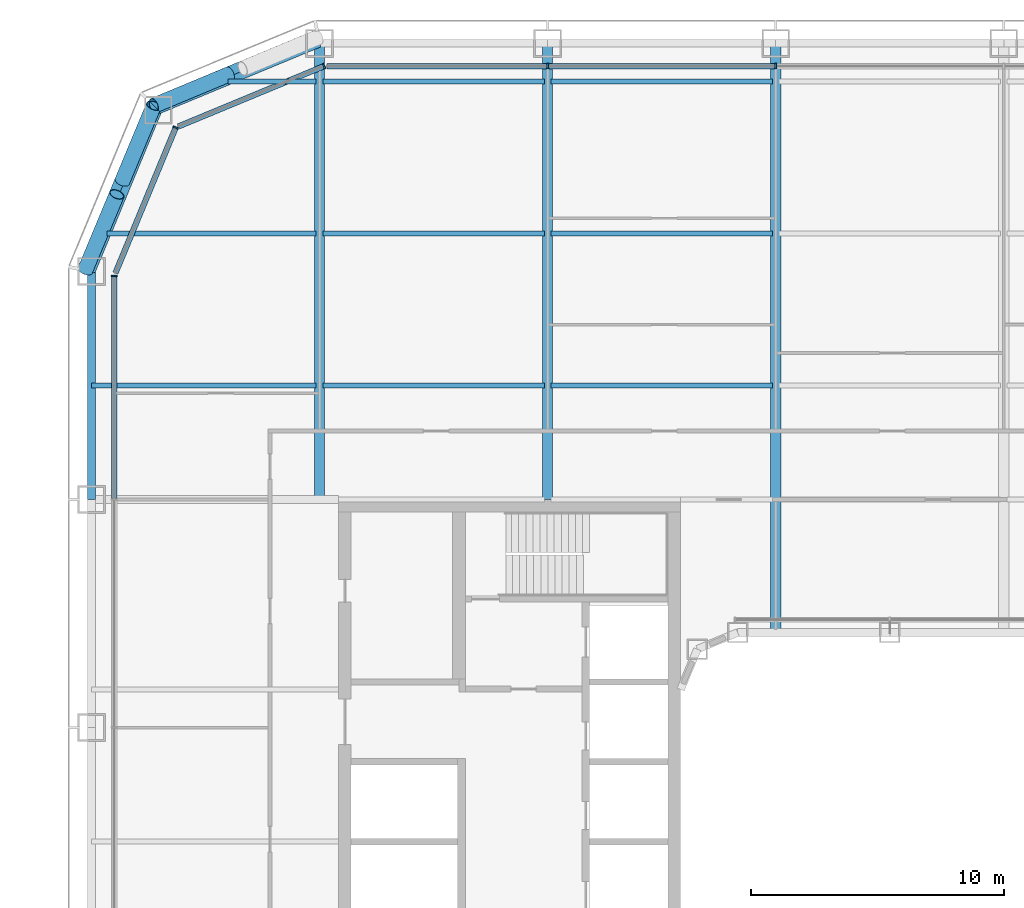
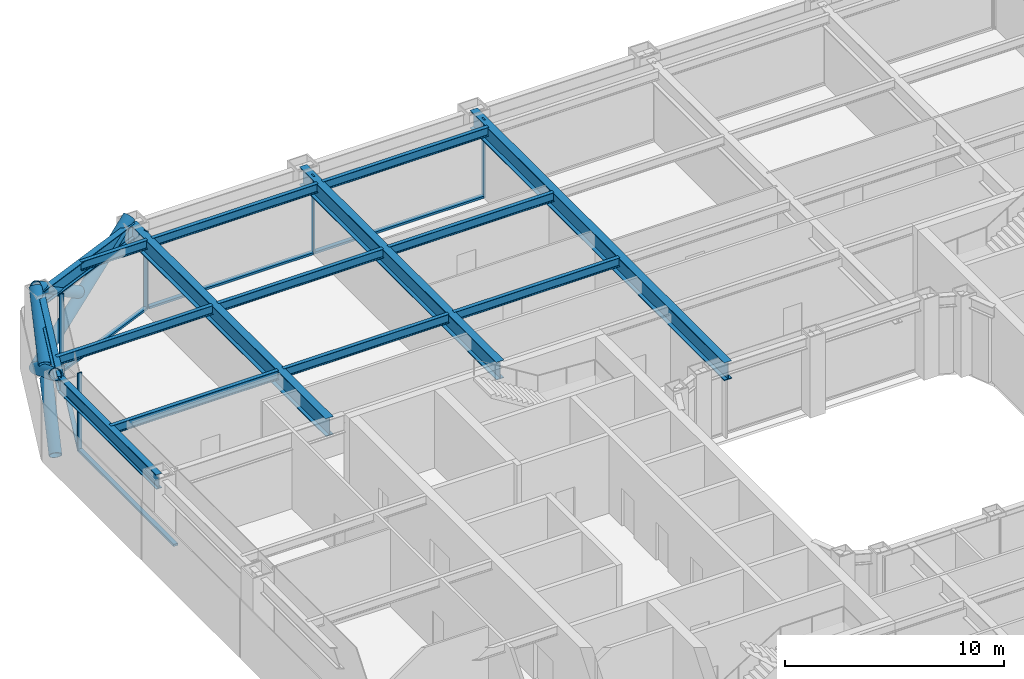
# One storey, part 7 of 27: 15 beams, 15 members, 4 elements without a shape of their own.
"""IFC4 building model written with IfcOpenShell, lengths in metres."""

from ifc_helpers import new_model, si_unit, direction, frame, origin, origin_2d, place, context, subcontext, project, spatial, rectangle, hollow_circle, i_section, extrude, material, layer, layer_set, material_profile, profile_set, type_object, element, aggregate, save


model = new_model("IFC4")

# Units and contexts
model_context = context("Model", 3, precision=1e-05, world=origin(), true_north=direction((0.0, 1.0)))
body_context = subcontext(model_context, "Body", "Model", "MODEL_VIEW")
ifc_project = project(units=[si_unit("LENGTHUNIT", "METRE"), si_unit("AREAUNIT", "SQUARE_METRE"), si_unit("VOLUMEUNIT", "CUBIC_METRE"), si_unit("PLANEANGLEUNIT", "RADIAN"), si_unit("MASSUNIT", "GRAM", prefix="KILO")], contexts=[model_context])

# Site, building, storey
site_placement = place(None, origin())
site = spatial("IfcSite", under=ifc_project, at=site_placement, CompositionType="ELEMENT")
building_placement = place(site_placement, origin())
building = spatial("IfcBuilding", under=site, at=building_placement, Name="Siwar Civic Tower", CompositionType="ELEMENT")
storey_placement = place(building_placement, frame((0.0, 0.0, 35.699951171875)))
storey = spatial("IfcBuildingStorey", under=building, at=storey_placement, Name="L07", CompositionType="ELEMENT", Elevation=35.699951171875)

# Curtain wall, members
ifc_material_1 = material(Name="Aluminium and glass", Category="aluminium")
ifc_layer_1 = layer(ifc_material_1, 0.219970703125)
ifc_layer_set_1 = layer_set([ifc_layer_1], Name="Aluminium and glass")
curtain_wall_type_1 = type_object("IfcCurtainWallType", Name="ENV-CW-A", PredefinedType="NOTDEFINED", material=ifc_layer_set_1)
curtain_wall_1_placement = place(storey_placement, origin())
curtain_wall_1 = element("IfcCurtainWall", 1, at=curtain_wall_1_placement, inside=storey, type_object=curtain_wall_type_1, Name="Curtain wall A N", PredefinedType="NOTDEFINED")
ifc_material_2 = material(Name="Aluminium 6063-T6", Category="aluminium")
ifc_material_profile_1 = material_profile(ifc_material_2, rectangle(XDim=0.219970703125, YDim=0.070068359375, at=origin_2d()), Name="AL 220x70")
ifc_profile_set_1 = profile_set([ifc_material_profile_1], Name="Aluminium 6063-T6")
member_type_1 = type_object("IfcMemberType", Name="ENV-MULLION-A", PredefinedType="MULLION", material=ifc_profile_set_1)
member_1_placement = place(storey_placement, frame((-4.5, 30.60009765625, 0.0), z_axis=(0.0, 0.0, 1.0), x_axis=(0.0, -1.0, 0.0)))
member_1 = element("IfcMember", 2, at=member_1_placement, type_object=member_type_1, Name="Mullion A N 4", PredefinedType="MULLION", context=body_context, shape_type="SweptSolid", body=[
    extrude(rectangle(XDim=0.219970703125, YDim=0.070068359375, at=origin_2d()), origin(), (0.0, 0.0, 1.0), 4.35009765625),
])
member_2_placement = place(storey_placement, frame((-13.5, 30.60009765625, 0.0), z_axis=(0.0, 0.0, 1.0), x_axis=(0.0, -1.0, 0.0)))
member_2 = element("IfcMember", 3, at=member_2_placement, type_object=member_type_1, Name="Mullion A N 5", PredefinedType="MULLION", context=body_context, shape_type="SweptSolid", body=[
    extrude(rectangle(XDim=0.219970703125, YDim=0.070068359375, at=origin_2d()), origin(), (0.0, 0.0, 1.0), 4.35009765625),
])

# Curtain wall, member
ifc_material_3 = material(Name="Aluminium clad insulated panel", Category="aluminium")
ifc_layer_2 = layer(ifc_material_3, 0.219970703125)
ifc_layer_set_2 = layer_set([ifc_layer_2], Name="Aluminium clad insulated panel")
curtain_wall_type_2 = type_object("IfcCurtainWallType", Name="ENV-CW-AX", PredefinedType="NOTDEFINED", material=ifc_layer_set_2)
curtain_wall_2_placement = place(storey_placement, origin())
curtain_wall_2 = element("IfcCurtainWall", 4, at=curtain_wall_2_placement, inside=storey, type_object=curtain_wall_type_2, Name="Curtain wall A NW1", PredefinedType="NOTDEFINED")
member_3_placement = place(storey_placement, frame((-22.321044921875, 30.60009765625, 0.0), z_axis=(0.0, 0.0, 1.0), x_axis=(0.382683432365, -0.923879532511, 0.0)))
member_3 = element("IfcMember", 5, at=member_3_placement, type_object=member_type_1, Name="Mullion A NW1 1", PredefinedType="MULLION", context=body_context, shape_type="SweptSolid", body=[
    extrude(rectangle(XDim=0.219970703125, YDim=0.070068359375, at=origin_2d()), origin(), (0.0, 0.0, 1.0), 4.35009765625),
])

curtain_wall_3_placement = place(storey_placement, origin())
curtain_wall_3 = element("IfcCurtainWall", 6, at=curtain_wall_3_placement, inside=storey, type_object=curtain_wall_type_2, Name="Curtain wall A NW2", PredefinedType="NOTDEFINED")
member_4_placement = place(storey_placement, frame((-28.175048828125, 28.175048828125, 0.0), z_axis=(0.0, 0.0, 1.0), x_axis=(0.923879532511, -0.382683432365, 0.0)))
member_4 = element("IfcMember", 7, at=member_4_placement, type_object=member_type_1, Name="Mullion A NW2 1", PredefinedType="MULLION", context=body_context, shape_type="SweptSolid", body=[
    extrude(rectangle(XDim=0.219970703125, YDim=0.070068359375, at=origin_2d()), origin(), (0.0, 0.0, 1.0), 4.35009765625),
])

curtain_wall_4_placement = place(storey_placement, origin())
curtain_wall_4 = element("IfcCurtainWall", 8, at=curtain_wall_4_placement, inside=storey, type_object=curtain_wall_type_1, Name="Curtain wall A W", PredefinedType="NOTDEFINED")
member_5_placement = place(storey_placement, frame((-30.60009765625, 22.321044921875, 0.0), z_axis=(0.0, 0.0, 1.0), x_axis=(1.0, 0.0, 0.0)))
member_5 = element("IfcMember", 9, at=member_5_placement, type_object=member_type_1, Name="Mullion A W 1", PredefinedType="MULLION", context=body_context, shape_type="SweptSolid", body=[
    extrude(rectangle(XDim=0.219970703125, YDim=0.070068359375, at=origin_2d()), origin(), (0.0, 0.0, 1.0), 4.35009765625),
])

# Member
ifc_material_4 = material(Name="Aluminium 6063-T6", Category="aluminium")
ifc_material_profile_2 = material_profile(ifc_material_4, rectangle(XDim=0.219970703125, YDim=0.1201171875, at=origin_2d()), Name="AL 220x120")
ifc_profile_set_2 = profile_set([ifc_material_profile_2], Name="Aluminium 6063-T6")
member_type_2 = type_object("IfcMemberType", Name="ENV-TRANSOM-A", PredefinedType="USERDEFINED", material=ifc_profile_set_2)
member_6_placement = place(storey_placement, frame((-4.534912109375, 30.60009765625, 0.06005859375), z_axis=(-1.0, 0.0, 0.0), x_axis=(0.0, -1.0, 0.0)))
member_6 = element("IfcMember", 10, at=member_6_placement, type_object=member_type_2, Name="Transom A N 4", ObjectType="TRANSOM", PredefinedType="USERDEFINED", context=body_context, shape_type="SweptSolid", body=[
    extrude(rectangle(XDim=0.219970703125, YDim=0.1201171875, at=origin_2d()), origin(), (0.0, 0.0, 1.0), 8.93017578125),
])

member_7_placement = place(storey_placement, frame((-13.534912109375, 30.60009765625, 0.06005859375), z_axis=(-1.0, 0.0, 0.0), x_axis=(0.0, -1.0, 0.0)))
member_7 = element("IfcMember", 11, at=member_7_placement, type_object=member_type_2, Name="Transom A N 5", ObjectType="TRANSOM", PredefinedType="USERDEFINED", context=body_context, shape_type="SweptSolid", body=[
    extrude(rectangle(XDim=0.219970703125, YDim=0.1201171875, at=origin_2d()), origin(), (0.0, 0.0, 1.0), 8.66357421875),
])

aggregate(curtain_wall_1, [member_1, member_2, member_6, member_7])

member_8_placement = place(storey_placement, frame((-22.353271484375, 30.586669921875, 0.06005859375), z_axis=(-0.923873326341, -0.382698415042, 0.0), x_axis=(0.382698415042, -0.923873326341, 0.0)))
member_8 = element("IfcMember", 12, at=member_8_placement, type_object=member_type_2, Name="Transom A NW1 1", ObjectType="TRANSOM", PredefinedType="USERDEFINED", context=body_context, shape_type="SweptSolid", body=[
    extrude(rectangle(XDim=0.219970703125, YDim=0.1201171875, at=origin_2d()), origin(), (0.0, 0.0, 1.0), 6.17919921875),
])

aggregate(curtain_wall_2, [member_3, member_8])

member_9_placement = place(storey_placement, frame((-28.1884765625, 28.142822265625, 0.06005859375), z_axis=(-0.382698415042, -0.923873326341, 0.0), x_axis=(0.923873326341, -0.382698415042, 0.0)))
member_9 = element("IfcMember", 13, at=member_9_placement, type_object=member_type_2, Name="Transom A NW2 1", ObjectType="TRANSOM", PredefinedType="USERDEFINED", context=body_context, shape_type="SweptSolid", body=[
    extrude(rectangle(XDim=0.219970703125, YDim=0.1201171875, at=origin_2d()), origin(), (0.0, 0.0, 1.0), 6.17919921875),
])

aggregate(curtain_wall_3, [member_4, member_9])

member_10_placement = place(storey_placement, frame((-30.60009765625, 22.285888671875, 0.06005859375), z_axis=(0.0, -1.0, 0.0), x_axis=(1.0, 0.0, 0.0)))
member_10 = element("IfcMember", 14, at=member_10_placement, type_object=member_type_2, Name="Transom A W 1", ObjectType="TRANSOM", PredefinedType="USERDEFINED", context=body_context, shape_type="SweptSolid", body=[
    extrude(rectangle(XDim=0.219970703125, YDim=0.1201171875, at=origin_2d()), origin(), (0.0, 0.0, 1.0), 8.7509765625),
])

aggregate(curtain_wall_4, [member_5, member_10])

# Members
ifc_material_5 = material(Name="Steel S355", Category="steel")
ifc_material_profile_3 = material_profile(ifc_material_5, hollow_circle(Radius=0.304931640625, WallThickness=0.030029296875, at=origin_2d()), Name="CHS610x30")
ifc_profile_set_3 = profile_set([ifc_material_profile_3], Name="Steel S355")
member_type_3 = type_object("IfcMemberType", Name="STR-BR-CHS610x30", PredefinedType="BRACE", material=ifc_profile_set_3)
member_11_placement = place(storey_placement, frame((-29.040771484375, 29.040771484375, 0.0), z_axis=(-0.323905527954, -0.777554562952, 0.538975055633), x_axis=(0.923108759191, -0.384538969033, 0.0)))
element("IfcMember", 15, at=member_11_placement, inside=storey, type_object=member_type_3, Name="L07/brc/ANW1-6-0-1", PredefinedType="BRACE", context=body_context, shape_type="SweptSolid", body=[
    extrude(hollow_circle(Radius=0.304931640625, WallThickness=0.030029296875, at=origin_2d()), origin(), (0.0, 0.0, 1.0), 8.34912109375),
])
member_12_placement = place(storey_placement, frame((-31.7451171875, 22.548828125, 0.0), z_axis=(0.323882123145, 0.777533059308, 0.539020140617), x_axis=(-0.923114847559, 0.384524353215, 0.0)))
element("IfcMember", 16, at=member_12_placement, inside=storey, type_object=member_type_3, Name="L07/brc/ANW1-6-0-2", PredefinedType="BRACE", context=body_context, shape_type="SweptSolid", body=[
    extrude(hollow_circle(Radius=0.304931640625, WallThickness=0.030029296875, at=origin_2d()), origin(), (0.0, 0.0, 1.0), 3.843505859375),
])
member_13_placement = place(storey_placement, frame((-30.285888671875, 26.052001953125, 2.428466796875), z_axis=(0.323934068367, 0.777568797048, 0.538937366685), x_axis=(-0.923099230484, 0.384561842466, 0.0)))
element("IfcMember", 17, at=member_13_placement, inside=storey, type_object=member_type_3, Name="L07/brc/ANW1-6-0-3", PredefinedType="BRACE", context=body_context, shape_type="SweptSolid", body=[
    extrude(hollow_circle(Radius=0.304931640625, WallThickness=0.030029296875, at=origin_2d()), origin(), (0.0, 0.0, 1.0), 3.84375),
])
member_14_placement = place(storey_placement, frame((-29.040771484375, 29.040771484375, 0.0), z_axis=(0.777554562952, 0.323905527954, 0.538975055633), x_axis=(-0.384538969033, 0.923108759191, 0.0)))
element("IfcMember", 18, at=member_14_placement, inside=storey, type_object=member_type_3, Name="L07/brc/ANW1-6-0-0", PredefinedType="BRACE", context=body_context, shape_type="SweptSolid", body=[
    extrude(hollow_circle(Radius=0.304931640625, WallThickness=0.030029296875, at=origin_2d()), origin(), (0.0, 0.0, 1.0), 8.34912109375),
])
member_15_placement = place(storey_placement, frame((-26.052001953125, 30.285888671875, 2.428466796875), z_axis=(-0.777568797048, -0.323934068367, 0.538937366685), x_axis=(0.384561842466, -0.923099230484, 0.0)))
element("IfcMember", 19, at=member_15_placement, inside=storey, type_object=member_type_3, Name="L07/brc/ANW1-6-0-5", PredefinedType="BRACE", context=body_context, shape_type="SweptSolid", body=[
    extrude(hollow_circle(Radius=0.304931640625, WallThickness=0.030029296875, at=origin_2d()), origin(), (0.0, 0.0, 1.0), 3.84375),
])

# Beams
ifc_material_6 = material(Name="Steel S355", Category="steel")
ifc_material_profile_4 = material_profile(ifc_material_6, i_section(OverallWidth=0.199951171875, OverallDepth=0.5, WebThickness=0.01025390625, FlangeThickness=0.01611328125, FilletRadius=0.02099609375, at=origin_2d()), Name="IPE500")
ifc_profile_set_4 = profile_set([ifc_material_profile_4], Name="Steel S355")
beam_type_1 = type_object("IfcBeamType", Name="STR-FB-IPE500", PredefinedType="JOIST", material=ifc_profile_set_4)
beam_1_placement = place(storey_placement, frame((-31.5, 18.0, 4.10009765625), z_axis=(1.0, 0.0, 0.0), x_axis=(0.0, 1.0, 0.0)))
element("IfcBeam", 20, at=beam_1_placement, inside=storey, type_object=beam_type_1, Name="L07/bm/F046", PredefinedType="JOIST", context=body_context, shape_type="SweptSolid", body=[
    extrude(i_section(OverallWidth=0.199951171875, OverallDepth=0.5, WebThickness=0.01025390625, FlangeThickness=0.01611328125, FilletRadius=0.02099609375, at=origin_2d()), origin(), (0.0, 0.0, 1.0), 8.8701171875),
])
for number, where, z_axis, x_axis, name in (
    (21, (-22.3701171875, 18.0, 4.10009765625), (1.0, 0.0, 0.0), (0.0, 1.0, 0.0), "L07/bm/F047"),
    (22, (-13.3701171875, 18.0, 4.10009765625), (1.0, 0.0, 0.0), (0.0, 1.0, 0.0), "L07/bm/F048"),
):
    element("IfcBeam", number, at=place(storey_placement, frame(where, z_axis=z_axis, x_axis=x_axis)), inside=storey, type_object=beam_type_1, Name=name, PredefinedType="JOIST", context=body_context, shape_type="SweptSolid", body=[
        extrude(i_section(OverallWidth=0.199951171875, OverallDepth=0.5, WebThickness=0.01025390625, FlangeThickness=0.01611328125, FilletRadius=0.02099609375, at=origin_2d()), origin(), (0.0, 0.0, 1.0), 8.740234375),
    ])
beam_2_placement = place(storey_placement, frame((-30.878662109375, 24.0, 4.10009765625), z_axis=(1.0, 0.0, 0.0), x_axis=(0.0, 1.0, 0.0)))
element("IfcBeam", 23, at=beam_2_placement, inside=storey, type_object=beam_type_1, Name="L07/bm/F053", PredefinedType="JOIST", context=body_context, shape_type="SweptSolid", body=[
    extrude(i_section(OverallWidth=0.199951171875, OverallDepth=0.5, WebThickness=0.01025390625, FlangeThickness=0.01611328125, FilletRadius=0.02099609375, at=origin_2d()), origin(), (0.0, 0.0, 1.0), 8.248779296875),
])
for number, where, z_axis, x_axis, name in (
    (24, (-22.3701171875, 24.0, 4.10009765625), (1.0, 0.0, 0.0), (0.0, 1.0, 0.0), "L07/bm/F054"),
    (25, (-13.3701171875, 24.0, 4.10009765625), (1.0, 0.0, 0.0), (0.0, 1.0, 0.0), "L07/bm/F055"),
):
    element("IfcBeam", number, at=place(storey_placement, frame(where, z_axis=z_axis, x_axis=x_axis)), inside=storey, type_object=beam_type_1, Name=name, PredefinedType="JOIST", context=body_context, shape_type="SweptSolid", body=[
        extrude(i_section(OverallWidth=0.199951171875, OverallDepth=0.5, WebThickness=0.01025390625, FlangeThickness=0.01611328125, FilletRadius=0.02099609375, at=origin_2d()), origin(), (0.0, 0.0, 1.0), 8.740234375),
    ])
beam_3_placement = place(storey_placement, frame((-26.121337890625, 30.0, 4.10009765625), z_axis=(1.0, 0.0, 0.0), x_axis=(0.0, 1.0, 0.0)))
element("IfcBeam", 26, at=beam_3_placement, inside=storey, type_object=beam_type_1, Name="L07/bm/F060", PredefinedType="JOIST", context=body_context, shape_type="SweptSolid", body=[
    extrude(i_section(OverallWidth=0.199951171875, OverallDepth=0.5, WebThickness=0.01025390625, FlangeThickness=0.01611328125, FilletRadius=0.02099609375, at=origin_2d()), origin(), (0.0, 0.0, 1.0), 3.491455078125),
])
for number, where, z_axis, x_axis, name in (
    (27, (-22.3701171875, 30.0, 4.10009765625), (1.0, 0.0, 0.0), (0.0, 1.0, 0.0), "L07/bm/F061"),
    (28, (-13.3701171875, 30.0, 4.10009765625), (1.0, 0.0, 0.0), (0.0, 1.0, 0.0), "L07/bm/F062"),
):
    element("IfcBeam", number, at=place(storey_placement, frame(where, z_axis=z_axis, x_axis=x_axis)), inside=storey, type_object=beam_type_1, Name=name, PredefinedType="JOIST", context=body_context, shape_type="SweptSolid", body=[
        extrude(i_section(OverallWidth=0.199951171875, OverallDepth=0.5, WebThickness=0.01025390625, FlangeThickness=0.01611328125, FilletRadius=0.02099609375, at=origin_2d()), origin(), (0.0, 0.0, 1.0), 8.740234375),
    ])
ifc_material_7 = material(Name="Steel S355", Category="steel")
ifc_material_profile_5 = material_profile(ifc_material_7, i_section(OverallWidth=0.39990234375, OverallDepth=1.0, WebThickness=0.01611328125, FlangeThickness=0.0400390625, at=origin_2d()), Name="PG1000x400x16x40")
ifc_profile_set_5 = profile_set([ifc_material_profile_5], Name="Steel S355")
beam_type_2 = type_object("IfcBeamType", Name="STR-PG-PG1000x400x16x40", PredefinedType="BEAM", material=ifc_profile_set_5)
for number, where, z_axis, x_axis, name in (
    (29, (-22.5, 13.5, 3.85009765625), (0.0, 1.0, 0.0), (-1.0, 0.0, 0.0), "L07/bm/G02"),
    (30, (-13.5, 13.5, 3.85009765625), (0.0, 1.0, 0.0), (-1.0, 0.0, 0.0), "L07/bm/G04"),
):
    element("IfcBeam", number, at=place(storey_placement, frame(where, z_axis=z_axis, x_axis=x_axis)), inside=storey, type_object=beam_type_2, Name=name, PredefinedType="BEAM", context=body_context, shape_type="SweptSolid", body=[
        extrude(i_section(OverallWidth=0.39990234375, OverallDepth=1.0, WebThickness=0.01611328125, FlangeThickness=0.0400390625, at=origin_2d()), origin(), (0.0, 0.0, 1.0), 18.0),
    ])
beam_4_placement = place(storey_placement, frame((-4.5, 8.25, 3.85009765625), z_axis=(0.0, 1.0, 0.0), x_axis=(-1.0, 0.0, 0.0)))
element("IfcBeam", 31, at=beam_4_placement, inside=storey, type_object=beam_type_2, Name="L07/bm/G06", PredefinedType="BEAM", context=body_context, shape_type="SweptSolid", body=[
    extrude(i_section(OverallWidth=0.39990234375, OverallDepth=1.0, WebThickness=0.01611328125, FlangeThickness=0.0400390625, at=origin_2d()), origin(), (0.0, 0.0, 1.0), 23.25),
])
ifc_material_8 = material(Name="Steel S355", Category="steel")
ifc_material_profile_6 = material_profile(ifc_material_8, i_section(OverallWidth=0.302978515625, OverallDepth=0.81396484375, WebThickness=0.02099609375, FlangeThickness=0.0400390625, FilletRadius=0.030029296875, at=origin_2d()), Name="HEM800")
ifc_profile_set_6 = profile_set([ifc_material_profile_6], Name="Steel S355")
beam_type_3 = type_object("IfcBeamType", Name="STR-SB-HEM800", PredefinedType="BEAM", material=ifc_profile_set_6)
for number, where, z_axis, x_axis, name in (
    (32, (-22.5, 31.5, 3.943115234375), (-0.923883353507, -0.382674207535, 0.0), (0.382674207535, -0.923883353507, 0.0), "L07/bm/SNW1-0"),
    (33, (-28.864013671875, 28.864013671875, 3.943115234375), (-0.382674207535, -0.923883353507, 0.0), (0.923883353507, -0.382674207535, 0.0), "L07/bm/SNW2-0"),
):
    element("IfcBeam", number, at=place(storey_placement, frame(where, z_axis=z_axis, x_axis=x_axis)), inside=storey, type_object=beam_type_3, Name=name, PredefinedType="BEAM", context=body_context, shape_type="SweptSolid", body=[
        extrude(i_section(OverallWidth=0.302978515625, OverallDepth=0.81396484375, WebThickness=0.02099609375, FlangeThickness=0.0400390625, FilletRadius=0.030029296875, at=origin_2d()), origin(), (0.0, 0.0, 1.0), 6.888427734375),
    ])
beam_5_placement = place(storey_placement, frame((-31.5, 22.5, 3.943115234375), z_axis=(0.0, -1.0, 0.0), x_axis=(1.0, 0.0, 0.0)))
element("IfcBeam", 34, at=beam_5_placement, inside=storey, type_object=beam_type_3, Name="L07/bm/SW-0", PredefinedType="BEAM", context=body_context, shape_type="SweptSolid", body=[
    extrude(i_section(OverallWidth=0.302978515625, OverallDepth=0.81396484375, WebThickness=0.02099609375, FlangeThickness=0.0400390625, FilletRadius=0.030029296875, at=origin_2d()), origin(), (0.0, 0.0, 1.0), 9.0),
])

save(model, "model.ifc")
